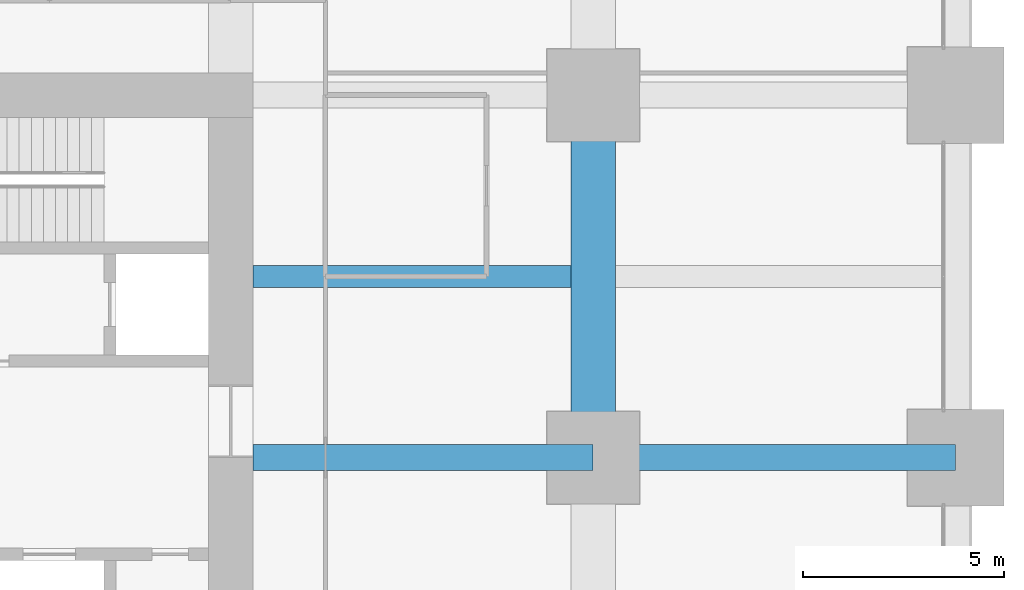
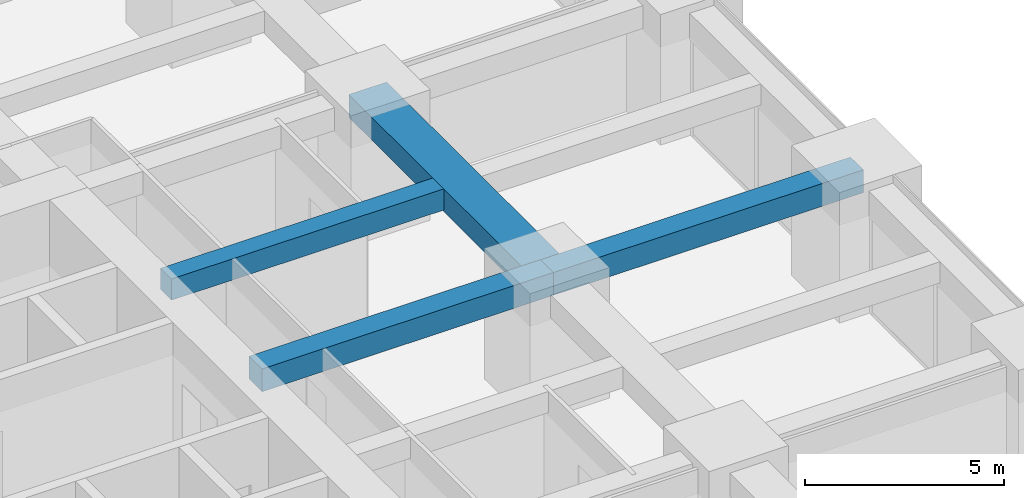
# One storey, part 21 of 45: 4 beams.
"""IFC4 building model written with IfcOpenShell, lengths in metres."""

from ifc_helpers import new_model, si_unit, direction, frame, origin, origin_2d, place, context, subcontext, project, spatial, rectangle, extrude, material, material_profile, profile_set, type_object, element, save


model = new_model("IFC4")

# Units and contexts
model_context = context("Model", 3, precision=1e-05, world=origin(), true_north=direction((0.0, 1.0)))
body_context = subcontext(model_context, "Body", "Model", "MODEL_VIEW")
ifc_project = project(units=[si_unit("LENGTHUNIT", "METRE"), si_unit("AREAUNIT", "SQUARE_METRE"), si_unit("VOLUMEUNIT", "CUBIC_METRE"), si_unit("PLANEANGLEUNIT", "RADIAN"), si_unit("MASSUNIT", "GRAM", prefix="KILO")], contexts=[model_context])

# Site, building, storey
site_placement = place(None, origin())
site = spatial("IfcSite", under=ifc_project, at=site_placement, CompositionType="ELEMENT")
building_placement = place(site_placement, origin())
building = spatial("IfcBuilding", under=site, at=building_placement, Name="Zorevar Civic Tower", CompositionType="ELEMENT")
storey_placement = place(building_placement, frame((0.0, 0.0, 39.800048828125)))
storey = spatial("IfcBuildingStorey", under=building, at=storey_placement, Name="L09", CompositionType="ELEMENT", Elevation=39.800048828125)

# Beams
ifc_material_1 = material(Name="Concrete C50/60", Category="concrete")
ifc_material_profile_1 = material_profile(ifc_material_1, rectangle(XDim=1.10009765625, YDim=0.699951171875, at=origin_2d()), Name="RC 1100x700")
ifc_profile_set_1 = profile_set([ifc_material_profile_1], Name="Concrete C50/60")
beam_type_1 = type_object("IfcBeamType", Name="Beam RC 1100x700", PredefinedType="BEAM", material=ifc_profile_set_1)
beam_1_placement = place(storey_placement, frame((54.0, 27.0, 3.39990234375), z_axis=(0.0, 1.0, 0.0), x_axis=(-1.0, 0.0, 0.0)))
element("IfcBeam", 1, at=beam_1_placement, inside=storey, type_object=beam_type_1, Name="Girder L10", PredefinedType="BEAM", context=body_context, shape_type="SweptSolid", body=[
    extrude(rectangle(XDim=1.10009765625, YDim=0.699951171875, at=origin_2d()), origin(), (0.0, 0.0, 1.0), 9.0),
])
ifc_material_2 = material(Name="Concrete C50/60", Category="concrete")
ifc_material_profile_2 = material_profile(ifc_material_2, rectangle(XDim=0.550048828125, YDim=0.64990234375, at=origin_2d()), Name="RC 550x650")
ifc_profile_set_2 = profile_set([ifc_material_profile_2], Name="Concrete C50/60")
beam_type_2 = type_object("IfcBeamType", Name="Beam RC 550x650", PredefinedType="BEAM", material=ifc_profile_set_2)
beam_2_placement = place(storey_placement, frame((45.550048828125, 31.5, 3.425048828125), z_axis=(1.0, 0.0, 0.0), x_axis=(0.0, 1.0, 0.0)))
element("IfcBeam", 2, at=beam_2_placement, inside=storey, type_object=beam_type_2, Name="Secondary beam L10", PredefinedType="BEAM", context=body_context, shape_type="SweptSolid", body=[
    extrude(rectangle(XDim=0.550048828125, YDim=0.64990234375, at=origin_2d()), origin(), (0.0, 0.0, 1.0), 7.89990234375),
])
ifc_material_3 = material(Name="Concrete C50/60", Category="concrete")
ifc_material_profile_3 = material_profile(ifc_material_3, rectangle(XDim=0.64990234375, YDim=0.699951171875, at=origin_2d()), Name="RC 650x700")
ifc_profile_set_3 = profile_set([ifc_material_profile_3], Name="Concrete C50/60")
beam_type_3 = type_object("IfcBeamType", Name="Beam RC 650x700", PredefinedType="BEAM", material=ifc_profile_set_3)
beam_3_placement = place(storey_placement, frame((45.550048828125, 27.0, 3.39990234375), z_axis=(1.0, 0.0, 0.0), x_axis=(0.0, 1.0, 0.0)))
element("IfcBeam", 3, at=beam_3_placement, inside=storey, type_object=beam_type_3, Name="Girder L10", PredefinedType="BEAM", context=body_context, shape_type="SweptSolid", body=[
    extrude(rectangle(XDim=0.64990234375, YDim=0.699951171875, at=origin_2d()), origin(), (0.0, 0.0, 1.0), 8.449951171875),
])
beam_4_placement = place(storey_placement, frame((54.0, 27.0, 3.39990234375), z_axis=(1.0, 0.0, 0.0), x_axis=(0.0, 1.0, 0.0)))
element("IfcBeam", 4, at=beam_4_placement, inside=storey, type_object=beam_type_3, Name="Girder L10", PredefinedType="BEAM", context=body_context, shape_type="SweptSolid", body=[
    extrude(rectangle(XDim=0.64990234375, YDim=0.699951171875, at=origin_2d()), origin(), (0.0, 0.0, 1.0), 9.0),
])

save(model, "model.ifc")
